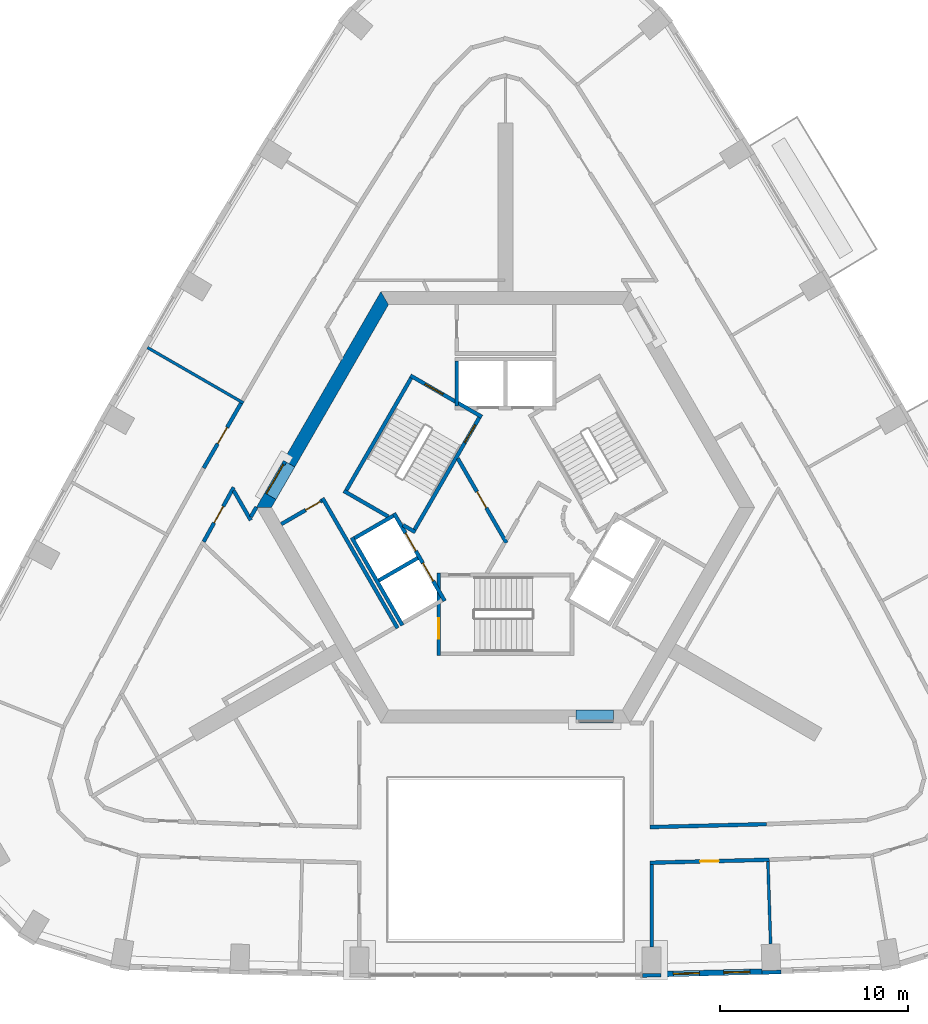
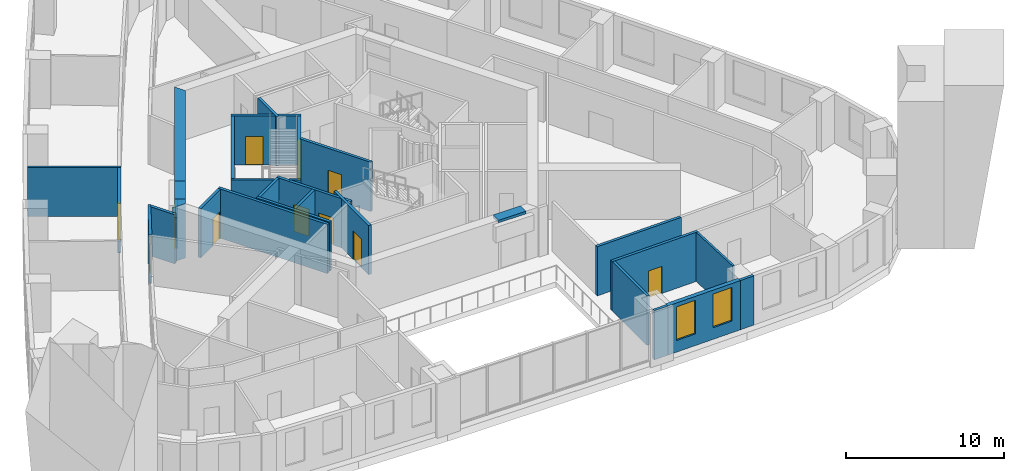
# One storey, part 5 of 13: 31 walls, 11 doors, 2 windows, 13 openings.
"""IFC4 building model written with IfcOpenShell, lengths in metres."""

from ifc_helpers import new_model, si_unit, direction, frame, frame_2d, origin, place, context, subcontext, project, spatial, polyline, rectangle, outline, extrude, material, layer, layer_set, type_object, element, fill, save


model = new_model("IFC4")

# Units and contexts
model_context = context("Model", 3, precision=1e-05, world=origin(), true_north=direction((0.0, 1.0)))
body_context = subcontext(model_context, "Body", "Model", "MODEL_VIEW")
ifc_project = project(units=[si_unit("LENGTHUNIT", "METRE"), si_unit("AREAUNIT", "SQUARE_METRE"), si_unit("VOLUMEUNIT", "CUBIC_METRE"), si_unit("PLANEANGLEUNIT", "RADIAN"), si_unit("MASSUNIT", "GRAM", prefix="KILO")], contexts=[model_context])

# Site, building, storey
site_placement = place(None, origin())
site = spatial("IfcSite", under=ifc_project, at=site_placement, CompositionType="ELEMENT")
building_placement = place(site_placement, origin())
building = spatial("IfcBuilding", under=site, at=building_placement, Name="Entoto Arch Interchange Tower", CompositionType="ELEMENT")
storey_placement = place(building_placement, frame((0.0, 0.0, 202.39990234375)))
storey = spatial("IfcBuildingStorey", under=building, at=storey_placement, Name="L45", CompositionType="ELEMENT", Elevation=202.39990234375)

# Wall, opening, door
ifc_material_1 = material(Name="Reinforced concrete C40/50", Category="concrete")
ifc_layer_1 = layer(ifc_material_1, 0.199951171875)
ifc_layer_set_1 = layer_set([ifc_layer_1], Name="Reinforced concrete C40/50")
wall_type_1 = type_object("IfcWallType", Name="CORE GAP INFILL WALL", PredefinedType="PARTITIONING", material=ifc_layer_set_1)
wall_1_placement = place(storey_placement, frame((-11.7470703125, 4.951904296875, 0.0), z_axis=(0.0, 0.0, 1.0), x_axis=(-0.50002537861, -0.866010750942, 0.0)))
wall_1 = element("IfcWall", 1, at=wall_1_placement, inside=storey, type_object=wall_type_1, Name="wall:L45:gap3", PredefinedType="PARTITIONING", context=body_context, shape_type="SweptSolid", body=[
    extrude(rectangle(XDim=2.0, YDim=0.199951171875, at=frame_2d((1.0, 0.0))), origin(), (0.0, 0.0, 1.0), 2.400146484375),
])
opening_1_placement = place(wall_1_placement, frame((0.18994140625, 0.0, 0.0)))
opening_1 = element("IfcOpeningElement", 2, at=opening_1_placement, cuts=wall_1, Name="Opening L45-D93", PredefinedType="OPENING", context=body_context, shape_type="SweptSolid", body=[
    extrude(rectangle(XDim=1.800048828125, YDim=2.10009765625, at=frame_2d((0.89990234375, 1.050048828125))), frame((0.0, 0.10986328125, 0.0), z_axis=(0.0, -1.0, 0.0), x_axis=(1.0, 0.0, 0.0)), (0.0, 0.0, 1.0), 0.219970703125),
])
ifc_material_2 = material(Name="Fire-rated Steel S235 door and frame", Category="steel")
door_type_1 = type_object("IfcDoorType", Name="DOOR FD-18 1800x2100", OperationType="DOUBLE_DOOR_SINGLE_SWING", PredefinedType="DOOR", material=ifc_material_2)
door_1_placement = place(opening_1_placement, origin())
door_1 = element("IfcDoor", 3, at=door_1_placement, inside=storey, type_object=door_type_1, Name="door:L45:gap3", OperationType="DOUBLE_DOOR_SINGLE_SWING", OverallHeight=2.10009765625, OverallWidth=1.800048828125, PredefinedType="DOOR", context=body_context, shape_type="SweptSolid", body=[
    extrude(rectangle(XDim=1.800048828125, YDim=2.10009765625, at=frame_2d((0.89990234375, 1.050048828125))), frame((0.0, 0.02490234375, 0.0), z_axis=(0.0, -1.0, 0.0), x_axis=(1.0, 0.0, 0.0)), (0.0, 0.0, 1.0), 0.050048828125),
])
fill(opening_1, door_1)

# Walls
ifc_material_3 = material(Name="Concrete C50/60", Category="concrete")
ifc_layer_2 = layer(ifc_material_3, 0.699951171875)
ifc_layer_set_2 = layer_set([ifc_layer_2], Name="Concrete C50/60")
wall_type_2 = type_object("IfcWallType", Name="Core wall 700 C50/60", PredefinedType="SHEAR", material=ifc_layer_set_2)
wall_2_placement = place(storey_placement, frame((0.0, 0.0, -0.39990234375)))
element("IfcWall", 4, at=wall_2_placement, inside=storey, type_object=wall_type_2, Name="Core wall NW L45", PredefinedType="SHEAR", context=body_context, shape_type="SweptSolid", body=[
    extrude(outline(polyline([(-11.833984375, 5.001953125), (-11.22802734375, 4.652099609375), (-6.235107421875, 13.300048828125), (-6.639892578125, 14.0), (-11.833984375, 5.001953125)])), origin(), (0.0, 0.0, 1.0), 4.199951171875),
])
wall_3_placement = place(storey_placement, frame((0.0, 0.0, -0.39990234375)))
element("IfcWall", 5, at=wall_3_placement, inside=storey, type_object=wall_type_2, Name="Core wall NW L45", PredefinedType="SHEAR", context=body_context, shape_type="SweptSolid", body=[
    extrude(outline(polyline([(-12.22802734375, 2.919921875), (-12.833984375, 3.27001953125), (-13.279052734375, 2.5), (-12.470947265625, 2.5), (-12.22802734375, 2.919921875)])), origin(), (0.0, 0.0, 1.0), 4.199951171875),
])
wall_4_placement = place(storey_placement, frame((0.0, 0.0, 3.60009765625)))
element("IfcWall", 6, at=wall_4_placement, inside=storey, type_object=wall_type_2, Name="Core wall lintel NW L45", PredefinedType="SHEAR", context=body_context, shape_type="SweptSolid", body=[
    extrude(outline(polyline([(-12.833984375, 3.27001953125), (-12.22802734375, 2.919921875), (-11.22802734375, 4.652099609375), (-11.833984375, 5.001953125), (-12.833984375, 3.27001953125)])), origin(), (0.0, 0.0, 1.0), 0.199951171875),
])
wall_5_placement = place(storey_placement, frame((0.0, 0.0, 3.60009765625)))
element("IfcWall", 7, at=wall_5_placement, inside=storey, type_object=wall_type_2, Name="Core wall lintel S L45", PredefinedType="SHEAR", context=body_context, shape_type="SweptSolid", body=[
    extrude(outline(polyline([(5.75, -9.0), (5.75, -8.300048828125), (3.75, -8.300048828125), (3.75, -9.0), (5.75, -9.0)])), origin(), (0.0, 0.0, 1.0), 0.199951171875),
])
ifc_material_4 = material(Name="Concrete C40/50", Category="concrete")
ifc_layer_3 = layer(ifc_material_4, 0.199951171875)
ifc_layer_set_3 = layer_set([ifc_layer_3], Name="Concrete C40/50")
wall_type_3 = type_object("IfcWallType", Name="LIFT SHAFT WALL 200", PredefinedType="STANDARD", material=ifc_layer_set_3)
wall_6_placement = place(storey_placement, frame((-2.60009765625, 7.89990234375, 0.0), z_axis=(0.0, 0.0, 1.0), x_axis=(0.0, 1.0, 0.0)))
element("IfcWall", 8, at=wall_6_placement, inside=storey, type_object=wall_type_3, Name="Shaft wall N1 cross 3", PredefinedType="STANDARD", context=body_context, shape_type="SweptSolid", body=[
    extrude(rectangle(XDim=2.400146484375, YDim=0.199951171875, at=frame_2d((1.2001953125, 0.0))), origin(), (0.0, 0.0, 1.0), 3.800048828125),
])

# Wall, openings, doors
wall_7_placement = place(storey_placement, frame((-5.93994140625, 2.18798828125, 0.0), z_axis=(0.0, 0.0, 1.0), x_axis=(0.500034260056, -0.866005622828, 0.0)))
wall_7 = element("IfcWall", 9, at=wall_7_placement, inside=storey, type_object=wall_type_3, Name="Shaft wall SW1 front", PredefinedType="STANDARD", context=body_context, shape_type="SweptSolid", body=[
    extrude(rectangle(XDim=5.3994140625, YDim=0.199951171875, at=frame_2d((2.69970703125, 0.0))), origin(), (0.0, 0.0, 1.0), 3.800048828125),
])
opening_2_placement = place(wall_7_placement, frame((3.074951171875, 0.0, 0.0)))
opening_2 = element("IfcOpeningElement", 10, at=opening_2_placement, cuts=wall_7, Name="Opening LD-HR4-L45", PredefinedType="OPENING", context=body_context, shape_type="SweptSolid", body=[
    extrude(rectangle(XDim=1.10009765625, YDim=2.10009765625, at=frame_2d((0.550048828125, 1.050048828125))), frame((0.0, 0.10986328125, 0.0), z_axis=(0.0, -1.0, 0.0), x_axis=(1.0, 0.0, 0.0)), (0.0, 0.0, 1.0), 0.219970703125),
])
opening_3_placement = place(wall_7_placement, frame((1.22509765625, 0.0, 0.0)))
opening_3 = element("IfcOpeningElement", 11, at=opening_3_placement, cuts=wall_7, Name="Opening LD-FF2-L45", PredefinedType="OPENING", context=body_context, shape_type="SweptSolid", body=[
    extrude(rectangle(XDim=1.10009765625, YDim=2.10009765625, at=frame_2d((0.550048828125, 1.050048828125))), frame((0.0, 0.10986328125, 0.0), z_axis=(0.0, -1.0, 0.0), x_axis=(1.0, 0.0, 0.0)), (0.0, 0.0, 1.0), 0.219970703125),
])
ifc_material_5 = material(Name="Stainless steel 1.4301 panels", Category="steel")
door_type_2 = type_object("IfcDoorType", Name="LIFT LANDING DOOR LD1 1100x2100", OperationType="SLIDING_TO_LEFT", PredefinedType="DOOR", material=ifc_material_5)
door_2_placement = place(opening_2_placement, origin())
door_2 = element("IfcDoor", 12, at=door_2_placement, inside=storey, type_object=door_type_2, Name="Lift landing door HR4 L45", OperationType="SLIDING_TO_LEFT", OverallHeight=2.10009765625, OverallWidth=1.10009765625, PredefinedType="DOOR", context=body_context, shape_type="SweptSolid", body=[
    extrude(rectangle(XDim=1.10009765625, YDim=2.10009765625, at=frame_2d((0.550048828125, 1.050048828125))), frame((0.0, 0.02490234375, 0.0), z_axis=(0.0, -1.0, 0.0), x_axis=(1.0, 0.0, 0.0)), (0.0, 0.0, 1.0), 0.050048828125),
])
fill(opening_2, door_2)
door_3_placement = place(opening_3_placement, origin())
door_3 = element("IfcDoor", 13, at=door_3_placement, inside=storey, type_object=door_type_2, Name="Lift landing door FF2 L45", OperationType="SLIDING_TO_LEFT", OverallHeight=2.10009765625, OverallWidth=1.10009765625, PredefinedType="DOOR", context=body_context, shape_type="SweptSolid", body=[
    extrude(rectangle(XDim=1.10009765625, YDim=2.10009765625, at=frame_2d((0.550048828125, 1.050048828125))), frame((0.0, 0.02490234375, 0.0), z_axis=(0.0, -1.0, 0.0), x_axis=(1.0, 0.0, 0.0)), (0.0, 0.0, 1.0), 0.050048828125),
])
fill(opening_3, door_3)

# Walls
wall_8_placement = place(storey_placement, frame((-8.19189453125, 0.887939453125, 0.0), z_axis=(0.0, 0.0, 1.0), x_axis=(0.500034260056, -0.866005622828, 0.0)))
element("IfcWall", 14, at=wall_8_placement, inside=storey, type_object=wall_type_3, Name="Shaft wall SW1 back", PredefinedType="STANDARD", context=body_context, shape_type="SweptSolid", body=[
    extrude(rectangle(XDim=5.3994140625, YDim=0.199951171875, at=frame_2d((2.69970703125, 0.0))), origin(), (0.0, 0.0, 1.0), 3.800048828125),
])
for number, where, z_axis, x_axis, name in (
    (15, (-5.97705078125, 2.052001953125, 0.0), (0.0, 0.0, 1.0), (-0.865973769406, -0.500089422704, 0.0), "Shaft wall SW1 cross 1"),
    (16, (-4.677001953125, -0.199951171875, 0.0), (0.0, 0.0, 1.0), (-0.865973769406, -0.500089422704, 0.0), "Shaft wall SW1 cross 2"),
):
    element("IfcWall", number, at=place(storey_placement, frame(where, z_axis=z_axis, x_axis=x_axis)), inside=storey, type_object=wall_type_3, Name=name, PredefinedType="STANDARD", context=body_context, shape_type="SweptSolid", body=[
        extrude(rectangle(XDim=2.3994140625, YDim=0.199951171875, at=frame_2d((1.19970703125, 0.0))), origin(), (0.0, 0.0, 1.0), 3.800048828125),
    ])
ifc_material_6 = material(Name="Gypsum board partition on steel studs", Category="steel")
ifc_layer_4 = layer(ifc_material_6, 0.14990234375)
ifc_layer_set_4 = layer_set([ifc_layer_4], Name="Gypsum board partition on steel studs")
wall_type_4 = type_object("IfcWallType", Name="PARTITION 150", PredefinedType="PARTITIONING", material=ifc_layer_set_4)
wall_9_placement = place(storey_placement, frame((13.989990234375, -16.385986328125, 0.0), z_axis=(0.0, 0.0, 1.0), x_axis=(0.032438863816, -0.999473721573, 0.0)))
element("IfcWall", 17, at=wall_9_placement, inside=storey, type_object=wall_type_4, Name="wall:L45:p109", PredefinedType="PARTITIONING", context=body_context, shape_type="SweptSolid", body=[
    extrude(rectangle(XDim=4.380126953125, YDim=0.14990234375, at=frame_2d((2.18994140625, 0.0))), origin(), (0.0, 0.0, 1.0), 3.800048828125),
])
wall_10_placement = place(storey_placement, frame((-13.969970703125, 8.06494140625, 0.0), z_axis=(0.0, 0.0, 1.0), x_axis=(-0.866011230889, 0.500024547371, 0.0)))
element("IfcWall", 18, at=wall_10_placement, inside=storey, type_object=wall_type_4, Name="wall:L45:p118", PredefinedType="PARTITIONING", context=body_context, shape_type="SweptSolid", body=[
    extrude(rectangle(XDim=5.899658203125, YDim=0.14990234375, at=frame_2d((2.94970703125, 0.0))), origin(), (0.0, 0.0, 1.0), 3.800048828125),
])
ifc_layer_5 = layer(ifc_material_6, 0.199951171875)
ifc_layer_set_5 = layer_set([ifc_layer_5], Name="Gypsum board partition on steel studs")
wall_type_5 = type_object("IfcWallType", Name="PARTITION 200", PredefinedType="PARTITIONING", material=ifc_layer_set_5)
wall_11_placement = place(storey_placement, frame((7.699951171875, -14.5439453125, 0.0), z_axis=(0.0, 0.0, 1.0), x_axis=(0.99968218628, 0.025209649611, 0.0)))
element("IfcWall", 19, at=wall_11_placement, inside=storey, type_object=wall_type_5, Name="wall:L45:p015", PredefinedType="PARTITIONING", context=body_context, shape_type="SweptSolid", body=[
    extrude(rectangle(XDim=6.22705078125, YDim=0.199951171875, at=frame_2d((3.113525390625, 0.0))), origin(), (0.0, 0.0, 1.0), 3.800048828125),
])
wall_12_placement = place(storey_placement, frame((-13.27294921875, 2.513916015625, 0.0), z_axis=(0.0, 0.0, 1.0), x_axis=(-0.50111559984, -0.865380353138, 0.0)))
element("IfcWall", 20, at=wall_12_placement, inside=storey, type_object=wall_type_5, Name="wall:L45:p023", PredefinedType="PARTITIONING", context=body_context, shape_type="SweptSolid", body=[
    extrude(rectangle(XDim=0.6064453125, YDim=0.199951171875, at=frame_2d((0.30322265625, 0.0))), origin(), (0.0, 0.0, 1.0), 3.800048828125),
])
wall_13_placement = place(storey_placement, frame((-13.576904296875, 1.81494140625, 0.0), z_axis=(0.0, 0.0, 1.0), x_axis=(-0.499951005625, 0.866053688852, 0.0)))
element("IfcWall", 21, at=wall_13_placement, inside=storey, type_object=wall_type_5, Name="wall:L45:p024", PredefinedType="PARTITIONING", context=body_context, shape_type="SweptSolid", body=[
    extrude(rectangle(XDim=1.818603515625, YDim=0.199951171875, at=frame_2d((0.9091796875, 0.0))), origin(), (0.0, 0.0, 1.0), 3.800048828125),
])

# Wall, opening, door
wall_14_placement = place(storey_placement, frame((-14.487060546875, 3.56396484375, 0.0), z_axis=(0.0, 0.0, 1.0), x_axis=(-0.483555199903, -0.875313868648, 0.0)))
wall_14 = element("IfcWall", 22, at=wall_14_placement, inside=storey, type_object=wall_type_5, Name="wall:L45:p025", PredefinedType="PARTITIONING", context=body_context, shape_type="SweptSolid", body=[
    extrude(rectangle(XDim=3.30859375, YDim=0.199951171875, at=frame_2d((1.654296875, 0.0))), origin(), (0.0, 0.0, 1.0), 3.800048828125),
])
opening_4_placement = place(wall_14_placement, frame((1.154052734375, 0.0, 0.0)))
opening_4 = element("IfcOpeningElement", 23, at=opening_4_placement, cuts=wall_14, Name="Opening L45-D19", PredefinedType="OPENING", context=body_context, shape_type="SweptSolid", body=[
    extrude(rectangle(XDim=1.0, YDim=2.10009765625, at=frame_2d((0.5, 1.050048828125))), frame((0.0, 0.10986328125, 0.0), z_axis=(0.0, -1.0, 0.0), x_axis=(1.0, 0.0, 0.0)), (0.0, 0.0, 1.0), 0.219970703125),
])
ifc_material_7 = material(Name="Timber door leaf in Steel S235 frame", Category="steel")
door_type_3 = type_object("IfcDoorType", Name="DOOR DS-10 1000x2100", OperationType="SINGLE_SWING_LEFT", PredefinedType="DOOR", material=ifc_material_7)
door_4_placement = place(opening_4_placement, origin())
door_4 = element("IfcDoor", 24, at=door_4_placement, inside=storey, type_object=door_type_3, Name="door:L45:19", OperationType="SINGLE_SWING_LEFT", OverallHeight=2.10009765625, OverallWidth=1.0, PredefinedType="DOOR", context=body_context, shape_type="SweptSolid", body=[
    extrude(rectangle(XDim=1.0, YDim=2.10009765625, at=frame_2d((0.5, 1.050048828125))), frame((0.0, 0.02490234375, 0.0), z_axis=(0.0, -1.0, 0.0), x_axis=(1.0, 0.0, 0.0)), (0.0, 0.0, 1.0), 0.050048828125),
])
fill(opening_4, door_4)

wall_15_placement = place(storey_placement, frame((14.06103515625, -16.283935546875, 0.0), z_axis=(0.0, 0.0, 1.0), x_axis=(-0.999679323762, -0.025322907453, 0.0)))
wall_15 = element("IfcWall", 25, at=wall_15_placement, inside=storey, type_object=wall_type_5, Name="wall:L45:p037", PredefinedType="PARTITIONING", context=body_context, shape_type="SweptSolid", body=[
    extrude(rectangle(XDim=6.363037109375, YDim=0.199951171875, at=frame_2d((3.181640625, 0.0))), origin(), (0.0, 0.0, 1.0), 3.800048828125),
])
opening_5_placement = place(wall_15_placement, frame((2.681884765625, 0.0, 0.0)))
opening_5 = element("IfcOpeningElement", 26, at=opening_5_placement, cuts=wall_15, Name="Opening L45-D01", PredefinedType="OPENING", context=body_context, shape_type="SweptSolid", body=[
    extrude(rectangle(XDim=1.0, YDim=2.10009765625, at=frame_2d((0.5, 1.050048828125))), frame((0.0, 0.10986328125, 0.0), z_axis=(0.0, -1.0, 0.0), x_axis=(1.0, 0.0, 0.0)), (0.0, 0.0, 1.0), 0.219970703125),
])
door_5_placement = place(opening_5_placement, origin())
door_5 = element("IfcDoor", 27, at=door_5_placement, inside=storey, type_object=door_type_3, Name="door:L45:01", OperationType="SINGLE_SWING_LEFT", OverallHeight=2.10009765625, OverallWidth=1.0, PredefinedType="DOOR", context=body_context, shape_type="SweptSolid", body=[
    extrude(rectangle(XDim=1.0, YDim=2.10009765625, at=frame_2d((0.5, 1.050048828125))), frame((0.0, 0.02490234375, 0.0), z_axis=(0.0, -1.0, 0.0), x_axis=(1.0, 0.0, 0.0)), (0.0, 0.0, 1.0), 0.050048828125),
])
fill(opening_5, door_5)

wall_16_placement = place(storey_placement, frame((-16.0869140625, 4.596923828125, 0.0), z_axis=(0.0, 0.0, 1.0), x_axis=(0.499860276602, 0.866106058099, 0.0)))
wall_16 = element("IfcWall", 28, at=wall_16_placement, inside=storey, type_object=wall_type_5, Name="wall:L45:p056", PredefinedType="PARTITIONING", context=body_context, shape_type="SweptSolid", body=[
    extrude(rectangle(XDim=3.987060546875, YDim=0.199951171875, at=frame_2d((1.99365234375, 0.0))), origin(), (0.0, 0.0, 1.0), 3.800048828125),
])
opening_6_placement = place(wall_16_placement, frame((1.493896484375, 0.0, 0.0)))
opening_6 = element("IfcOpeningElement", 29, at=opening_6_placement, cuts=wall_16, Name="Opening L45-D11", PredefinedType="OPENING", context=body_context, shape_type="SweptSolid", body=[
    extrude(rectangle(XDim=1.0, YDim=2.10009765625, at=frame_2d((0.5, 1.050048828125))), frame((0.0, 0.10986328125, 0.0), z_axis=(0.0, -1.0, 0.0), x_axis=(1.0, 0.0, 0.0)), (0.0, 0.0, 1.0), 0.219970703125),
])
door_6_placement = place(opening_6_placement, origin())
door_6 = element("IfcDoor", 30, at=door_6_placement, inside=storey, type_object=door_type_3, Name="door:L45:11", OperationType="SINGLE_SWING_LEFT", OverallHeight=2.10009765625, OverallWidth=1.0, PredefinedType="DOOR", context=body_context, shape_type="SweptSolid", body=[
    extrude(rectangle(XDim=1.0, YDim=2.10009765625, at=frame_2d((0.5, 1.050048828125))), frame((0.0, 0.02490234375, 0.0), z_axis=(0.0, -1.0, 0.0), x_axis=(1.0, 0.0, 0.0)), (0.0, 0.0, 1.0), 0.050048828125),
])
fill(opening_6, door_6)

wall_17_placement = place(storey_placement, frame((-11.952880859375, 1.60302734375, 0.0), z_axis=(0.0, 0.0, 1.0), x_axis=(0.865998541277, 0.500046524342, 0.0)))
wall_17 = element("IfcWall", 31, at=wall_17_placement, inside=storey, type_object=wall_type_5, Name="wall:L45:p073", PredefinedType="PARTITIONING", context=body_context, shape_type="SweptSolid", body=[
    extrude(rectangle(XDim=2.499755859375, YDim=0.199951171875, at=frame_2d((1.25, 0.0))), origin(), (0.0, 0.0, 1.0), 3.800048828125),
])
opening_7_placement = place(wall_17_placement, frame((1.5, 0.0, 0.0)))
opening_7 = element("IfcOpeningElement", 32, at=opening_7_placement, cuts=wall_17, Name="Opening L45-D31", PredefinedType="OPENING", context=body_context, shape_type="SweptSolid", body=[
    extrude(rectangle(XDim=0.89990234375, YDim=2.10009765625, at=frame_2d((0.449951171875, 1.050048828125))), frame((0.0, 0.10986328125, 0.0), z_axis=(0.0, -1.0, 0.0), x_axis=(1.0, 0.0, 0.0)), (0.0, 0.0, 1.0), 0.219970703125),
])
door_type_4 = type_object("IfcDoorType", Name="DOOR DS-09 900x2100", OperationType="SINGLE_SWING_LEFT", PredefinedType="DOOR", material=ifc_material_7)
door_7_placement = place(opening_7_placement, origin())
door_7 = element("IfcDoor", 33, at=door_7_placement, inside=storey, type_object=door_type_4, Name="door:L45:31", OperationType="SINGLE_SWING_LEFT", OverallHeight=2.10009765625, OverallWidth=0.89990234375, PredefinedType="DOOR", context=body_context, shape_type="SweptSolid", body=[
    extrude(rectangle(XDim=0.89990234375, YDim=2.10009765625, at=frame_2d((0.449951171875, 1.050048828125))), frame((0.0, 0.02490234375, 0.0), z_axis=(0.0, -1.0, 0.0), x_axis=(1.0, 0.0, 0.0)), (0.0, 0.0, 1.0), 0.050048828125),
])
fill(opening_7, door_7)

# Wall
wall_18_placement = place(storey_placement, frame((-9.7509765625, 2.989990234375, 0.0), z_axis=(0.0, 0.0, 1.0), x_axis=(0.500012163284, -0.866018381195, 0.0)))
element("IfcWall", 34, at=wall_18_placement, inside=storey, type_object=wall_type_5, Name="wall:L45:p074", PredefinedType="PARTITIONING", context=body_context, shape_type="SweptSolid", body=[
    extrude(rectangle(XDim=7.999755859375, YDim=0.199951171875, at=frame_2d((4.0, 0.0))), origin(), (0.0, 0.0, 1.0), 3.800048828125),
])

# Wall, opening, door
wall_19_placement = place(storey_placement, frame((-2.5400390625, 5.10009765625, 0.0), z_axis=(0.0, 0.0, 1.0), x_axis=(0.499925051871, -0.866068670783, 0.0)))
wall_19 = element("IfcWall", 35, at=wall_19_placement, inside=storey, type_object=wall_type_5, Name="wall:L45:p090", PredefinedType="PARTITIONING", context=body_context, shape_type="SweptSolid", body=[
    extrude(rectangle(XDim=5.180908203125, YDim=0.199951171875, at=frame_2d((2.59033203125, 0.0))), origin(), (0.0, 0.0, 1.0), 3.800048828125),
])
opening_8_placement = place(wall_19_placement, frame((2.0400390625, 0.0, 0.0)))
opening_8 = element("IfcOpeningElement", 36, at=opening_8_placement, cuts=wall_19, Name="Opening L45-D28", PredefinedType="OPENING", context=body_context, shape_type="SweptSolid", body=[
    extrude(rectangle(XDim=1.0, YDim=2.10009765625, at=frame_2d((0.5, 1.050048828125))), frame((0.0, 0.10986328125, 0.0), z_axis=(0.0, -1.0, 0.0), x_axis=(1.0, 0.0, 0.0)), (0.0, 0.0, 1.0), 0.219970703125),
])
door_type_5 = type_object("IfcDoorType", Name="DOOR FD-10 1000x2100", OperationType="SINGLE_SWING_LEFT", PredefinedType="DOOR", material=ifc_material_2)
door_8_placement = place(opening_8_placement, origin())
door_8 = element("IfcDoor", 37, at=door_8_placement, inside=storey, type_object=door_type_5, Name="door:L45:28", OperationType="SINGLE_SWING_RIGHT", OverallHeight=2.10009765625, OverallWidth=1.0, PredefinedType="DOOR", context=body_context, shape_type="SweptSolid", body=[
    extrude(rectangle(XDim=1.0, YDim=2.10009765625, at=frame_2d((0.5, 1.050048828125))), frame((0.0, 0.02490234375, 0.0), z_axis=(0.0, -1.0, 0.0), x_axis=(1.0, 0.0, 0.0)), (0.0, 0.0, 1.0), 0.050048828125),
])
fill(opening_8, door_8)

# Wall
wall_20_placement = place(storey_placement, frame((7.800048828125, -16.5419921875, 0.0), z_axis=(0.0, 0.0, 1.0), x_axis=(0.0, -1.0, 0.0)))
element("IfcWall", 38, at=wall_20_placement, inside=storey, type_object=wall_type_5, Name="wall:L45:p095", PredefinedType="PARTITIONING", context=body_context, shape_type="SweptSolid", body=[
    extrude(rectangle(XDim=4.382080078125, YDim=0.199951171875, at=frame_2d((2.19091796875, 0.0))), origin(), (0.0, 0.0, 1.0), 3.800048828125),
])

# Wall, opening, door
ifc_layer_6 = layer(ifc_material_4, 0.199951171875)
ifc_layer_set_6 = layer_set([ifc_layer_6], Name="Concrete C40/50")
wall_type_6 = type_object("IfcWallType", Name="STAIR ENCLOSURE WALL 200", PredefinedType="STANDARD", material=ifc_layer_set_6)
wall_21_placement = place(storey_placement, frame((-3.550048828125, -1.0, 0.0), z_axis=(0.0, 0.0, 1.0), x_axis=(0.0, -1.0, 0.0)))
wall_21 = element("IfcWall", 39, at=wall_21_placement, inside=storey, type_object=wall_type_6, Name="Stair wall ST-S near", PredefinedType="STANDARD", context=body_context, shape_type="SweptSolid", body=[
    extrude(rectangle(XDim=4.39990234375, YDim=0.199951171875, at=frame_2d((2.199951171875, 0.0))), origin(), (0.0, 0.0, 1.0), 3.800048828125),
])
opening_9_placement = place(wall_21_placement, frame((2.39990234375, 0.0, 0.0)))
opening_9 = element("IfcOpeningElement", 40, at=opening_9_placement, cuts=wall_21, Name="Opening SD-ST-S-L45-E", PredefinedType="OPENING", context=body_context, shape_type="SweptSolid", body=[
    extrude(rectangle(XDim=1.10009765625, YDim=2.199951171875, at=frame_2d((0.550048828125, 1.10009765625))), frame((0.0, 0.10986328125, 0.0), z_axis=(0.0, -1.0, 0.0), x_axis=(1.0, 0.0, 0.0)), (0.0, 0.0, 1.0), 0.219970703125),
])
ifc_material_8 = material(Name="Steel S235", Category="steel")
door_type_6 = type_object("IfcDoorType", Name="STAIR DOOR SD1 1100x2200", OperationType="SINGLE_SWING_LEFT", PredefinedType="DOOR", material=ifc_material_8)
door_9_placement = place(opening_9_placement, origin())
door_9 = element("IfcDoor", 41, at=door_9_placement, inside=storey, type_object=door_type_6, Name="Stair door ST-S L45 end", OperationType="SINGLE_SWING_LEFT", OverallHeight=2.199951171875, OverallWidth=1.10009765625, PredefinedType="DOOR", context=body_context, shape_type="SweptSolid", body=[
    extrude(rectangle(XDim=1.10009765625, YDim=2.199951171875, at=frame_2d((0.550048828125, 1.10009765625))), frame((0.0, 0.02490234375, 0.0), z_axis=(0.0, -1.0, 0.0), x_axis=(1.0, 0.0, 0.0)), (0.0, 0.0, 1.0), 0.050048828125),
])
fill(opening_9, door_9)

wall_22_placement = place(storey_placement, frame((-1.256103515625, 7.323974609375, 0.0), z_axis=(0.0, 0.0, 1.0), x_axis=(-0.866046073146, 0.499964197906, 0.0)))
wall_22 = element("IfcWall", 42, at=wall_22_placement, inside=storey, type_object=wall_type_6, Name="Stair wall ST-NW near", PredefinedType="STANDARD", context=body_context, shape_type="SweptSolid", body=[
    extrude(rectangle(XDim=4.400146484375, YDim=0.199951171875, at=frame_2d((2.2001953125, 0.0))), origin(), (0.0, 0.0, 1.0), 3.800048828125),
])
opening_10_placement = place(wall_22_placement, frame((2.39990234375, 0.0, 0.0)))
opening_10 = element("IfcOpeningElement", 43, at=opening_10_placement, cuts=wall_22, Name="Opening SD-ST-NW-L45-E", PredefinedType="OPENING", context=body_context, shape_type="SweptSolid", body=[
    extrude(rectangle(XDim=1.10009765625, YDim=2.199951171875, at=frame_2d((0.550048828125, 1.10009765625))), frame((0.0, 0.10986328125, 0.0), z_axis=(0.0, -1.0, 0.0), x_axis=(1.0, 0.0, 0.0)), (0.0, 0.0, 1.0), 0.219970703125),
])
door_10_placement = place(opening_10_placement, origin())
door_10 = element("IfcDoor", 44, at=door_10_placement, inside=storey, type_object=door_type_6, Name="Stair door ST-NW L45 end", OperationType="SINGLE_SWING_LEFT", OverallHeight=2.199951171875, OverallWidth=1.10009765625, PredefinedType="DOOR", context=body_context, shape_type="SweptSolid", body=[
    extrude(rectangle(XDim=1.10009765625, YDim=2.199951171875, at=frame_2d((0.550048828125, 1.10009765625))), frame((0.0, 0.02490234375, 0.0), z_axis=(0.0, -1.0, 0.0), x_axis=(1.0, 0.0, 0.0)), (0.0, 0.0, 1.0), 0.050048828125),
])
fill(opening_10, door_10)

# Walls
wall_23_placement = place(storey_placement, frame((-6.25, 2.010009765625, 0.0), z_axis=(0.0, 0.0, 1.0), x_axis=(-0.86611865017, 0.499838457731, 0.0)))
element("IfcWall", 45, at=wall_23_placement, inside=storey, type_object=wall_type_6, Name="Stair wall ST-NW far", PredefinedType="STANDARD", context=body_context, shape_type="SweptSolid", body=[
    extrude(rectangle(XDim=2.73291015625, YDim=0.199951171875, at=frame_2d((1.366455078125, 0.0))), origin(), (0.0, 0.0, 1.0), 3.800048828125),
])
wall_24_placement = place(storey_placement, frame((-4.805908203125, 1.176025390625, 0.0), z_axis=(0.0, 0.0, 1.0), x_axis=(-0.866558586415, 0.499075361355, 0.0)))
element("IfcWall", 46, at=wall_24_placement, inside=storey, type_object=wall_type_6, Name="Stair wall ST-NW far return", PredefinedType="STANDARD", context=body_context, shape_type="SweptSolid", body=[
    extrude(rectangle(XDim=0.75146484375, YDim=0.199951171875, at=frame_2d((0.375732421875, 0.0))), origin(), (0.0, 0.0, 1.0), 3.800048828125),
])

# Wall, opening, door
wall_25_placement = place(storey_placement, frame((-1.39306640625, 7.2880859375, 0.0), z_axis=(0.0, 0.0, 1.0), x_axis=(-0.499963383562, -0.866046543262, 0.0)))
wall_25 = element("IfcWall", 47, at=wall_25_placement, inside=storey, type_object=wall_type_6, Name="Stair wall ST-NW hall", PredefinedType="STANDARD", context=body_context, shape_type="SweptSolid", body=[
    extrude(rectangle(XDim=6.900390625, YDim=0.199951171875, at=frame_2d((3.4501953125, 0.0))), origin(), (0.0, 0.0, 1.0), 3.800048828125),
])
opening_11_placement = place(wall_25_placement, frame((0.449951171875, 0.0, 0.0)))
opening_11 = element("IfcOpeningElement", 48, at=opening_11_placement, cuts=wall_25, Name="Opening SD-ST-NW-L45", PredefinedType="OPENING", context=body_context, shape_type="SweptSolid", body=[
    extrude(rectangle(XDim=1.10009765625, YDim=2.199951171875, at=frame_2d((0.550048828125, 1.10009765625))), frame((0.0, 0.10986328125, 0.0), z_axis=(0.0, -1.0, 0.0), x_axis=(1.0, 0.0, 0.0)), (0.0, 0.0, 1.0), 0.219970703125),
])
door_11_placement = place(opening_11_placement, origin())
door_11 = element("IfcDoor", 49, at=door_11_placement, inside=storey, type_object=door_type_6, Name="Stair door ST-NW L45", OperationType="SINGLE_SWING_LEFT", OverallHeight=2.199951171875, OverallWidth=1.10009765625, PredefinedType="DOOR", context=body_context, shape_type="SweptSolid", body=[
    extrude(rectangle(XDim=1.10009765625, YDim=2.199951171875, at=frame_2d((0.550048828125, 1.10009765625))), frame((0.0, 0.02490234375, 0.0), z_axis=(0.0, -1.0, 0.0), x_axis=(1.0, 0.0, 0.0)), (0.0, 0.0, 1.0), 0.050048828125),
])
fill(opening_11, door_11)

# Wall
wall_26_placement = place(storey_placement, frame((-5.030029296875, 9.387939453125, 0.0), z_axis=(0.0, 0.0, 1.0), x_axis=(-0.499978703459, -0.866037698999, 0.0)))
element("IfcWall", 50, at=wall_26_placement, inside=storey, type_object=wall_type_6, Name="Stair wall ST-NW back", PredefinedType="STANDARD", context=body_context, shape_type="SweptSolid", body=[
    extrude(rectangle(XDim=6.900146484375, YDim=0.199951171875, at=frame_2d((3.4501953125, 0.0))), origin(), (0.0, 0.0, 1.0), 3.800048828125),
])

# Wall, openings, windows
ifc_material_9 = material(Name="Welded tuff (ignimbrite) cladding, warm buff", Category="masonry")
ifc_layer_7 = layer(ifc_material_9, 0.300048828125)
ifc_layer_set_7 = layer_set([ifc_layer_7], Name="Welded tuff (ignimbrite) cladding, warm buff")
wall_type_7 = type_object("IfcWallType", Name="STONE INFILL WALL 300", PredefinedType="STANDARD", material=ifc_layer_set_7)
wall_27_placement = place(storey_placement, frame((8.297119140625, -22.381103515625, 0.0), z_axis=(0.0, 0.0, 1.0), x_axis=(0.999685717988, 0.025069209235, 0.0)))
wall_27 = element("IfcWall", 51, at=wall_27_placement, inside=storey, type_object=wall_type_7, Name="Facade wall S-04 L45", PredefinedType="STANDARD", context=body_context, shape_type="SweptSolid", body=[
    extrude(rectangle(XDim=5.385498046875, YDim=0.300048828125, at=frame_2d((2.69287109375, 0.0))), origin(), (0.0, 0.0, 1.0), 3.800048828125),
])
opening_12_placement = place(wall_27_placement, frame((0.64599609375, 0.0, 0.89990234375)))
opening_12 = element("IfcOpeningElement", 52, at=opening_12_placement, cuts=wall_27, Name="Opening WO-B", PredefinedType="OPENING", context=body_context, shape_type="SweptSolid", body=[
    extrude(rectangle(XDim=1.39990234375, YDim=2.60009765625, at=frame_2d((0.699951171875, 1.300048828125))), frame((0.0, 0.16015625, 0.0), z_axis=(0.0, -1.0, 0.0), x_axis=(1.0, 0.0, 0.0)), (0.0, 0.0, 1.0), 0.320068359375),
])
opening_13_placement = place(wall_27_placement, frame((3.339111328125, 0.0, 0.89990234375)))
opening_13 = element("IfcOpeningElement", 53, at=opening_13_placement, cuts=wall_27, Name="Opening WO-B", PredefinedType="OPENING", context=body_context, shape_type="SweptSolid", body=[
    extrude(rectangle(XDim=1.39990234375, YDim=2.60009765625, at=frame_2d((0.699951171875, 1.300048828125))), frame((0.0, 0.16015625, 0.0), z_axis=(0.0, -1.0, 0.0), x_axis=(1.0, 0.0, 0.0)), (0.0, 0.0, 1.0), 0.320068359375),
])
ifc_material_10 = material(Name="Clear glass, low-e double glazed", Category="glass")
window_type = type_object("IfcWindowType", Name="WINDOW WO-B 1400x2600", PartitioningType="DOUBLE_PANEL_VERTICAL", PredefinedType="WINDOW", material=ifc_material_10)
window_1_placement = place(opening_12_placement, origin())
window_1 = element("IfcWindow", 54, at=window_1_placement, inside=storey, type_object=window_type, Name="Window WO-B S-04 L45", OverallHeight=2.60009765625, OverallWidth=1.39990234375, PartitioningType="SINGLE_PANEL", PredefinedType="WINDOW", context=body_context, shape_type="SweptSolid", body=[
    extrude(rectangle(XDim=1.39990234375, YDim=2.60009765625, at=frame_2d((0.699951171875, 1.300048828125))), frame((0.0, 0.030029296875, 0.0), z_axis=(0.0, -1.0, 0.0), x_axis=(1.0, 0.0, 0.0)), (0.0, 0.0, 1.0), 0.06005859375),
])
fill(opening_12, window_1)
window_2_placement = place(opening_13_placement, origin())
window_2 = element("IfcWindow", 55, at=window_2_placement, inside=storey, type_object=window_type, Name="Window WO-B S-04 L45", OverallHeight=2.60009765625, OverallWidth=1.39990234375, PartitioningType="SINGLE_PANEL", PredefinedType="WINDOW", context=body_context, shape_type="SweptSolid", body=[
    extrude(rectangle(XDim=1.39990234375, YDim=2.60009765625, at=frame_2d((0.699951171875, 1.300048828125))), frame((0.0, 0.030029296875, 0.0), z_axis=(0.0, -1.0, 0.0), x_axis=(1.0, 0.0, 0.0)), (0.0, 0.0, 1.0), 0.06005859375),
])
fill(opening_13, window_2)

# Walls
ifc_layer_8 = layer(ifc_material_9, 0.199951171875)
ifc_layer_set_8 = layer_set([ifc_layer_8], Name="Welded tuff (ignimbrite) cladding, warm buff")
wall_type_8 = type_object("IfcWallType", Name="STONE PIER CLADDING 200", PredefinedType="STANDARD", material=ifc_layer_set_8)
wall_28_placement = place(storey_placement, frame((7.299072265625, -22.450927734375, 0.0), z_axis=(0.0, 0.0, 1.0), x_axis=(0.999903186316, 0.013914668364, 0.0)))
element("IfcWall", 56, at=wall_28_placement, inside=storey, type_object=wall_type_8, Name="Stone pier S04 L45", PredefinedType="STANDARD", context=body_context, shape_type="SweptSolid", body=[
    extrude(rectangle(XDim=1.0, YDim=0.199951171875, at=frame_2d((0.5, 0.0))), origin(), (0.0, 0.0, 1.0), 3.800048828125),
])
wall_29_placement = place(storey_placement, frame((13.681884765625, -22.300048828125, 0.0), z_axis=(0.0, 0.0, 1.0), x_axis=(0.999423561854, 0.033949138587, 0.0)))
element("IfcWall", 57, at=wall_29_placement, inside=storey, type_object=wall_type_8, Name="Stone pier S05 L45", PredefinedType="STANDARD", context=body_context, shape_type="SweptSolid", body=[
    extrude(rectangle(XDim=0.99951171875, YDim=0.199951171875, at=frame_2d((0.499755859375, 0.0))), origin(), (0.0, 0.0, 1.0), 3.800048828125),
])

save(model, "model.ifc")
